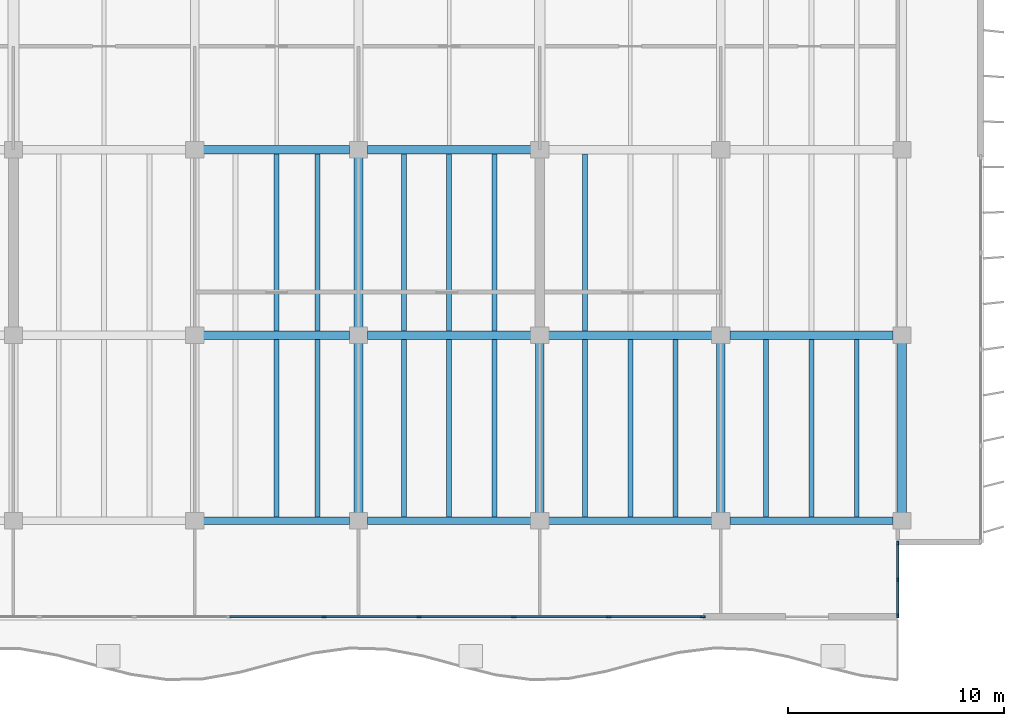
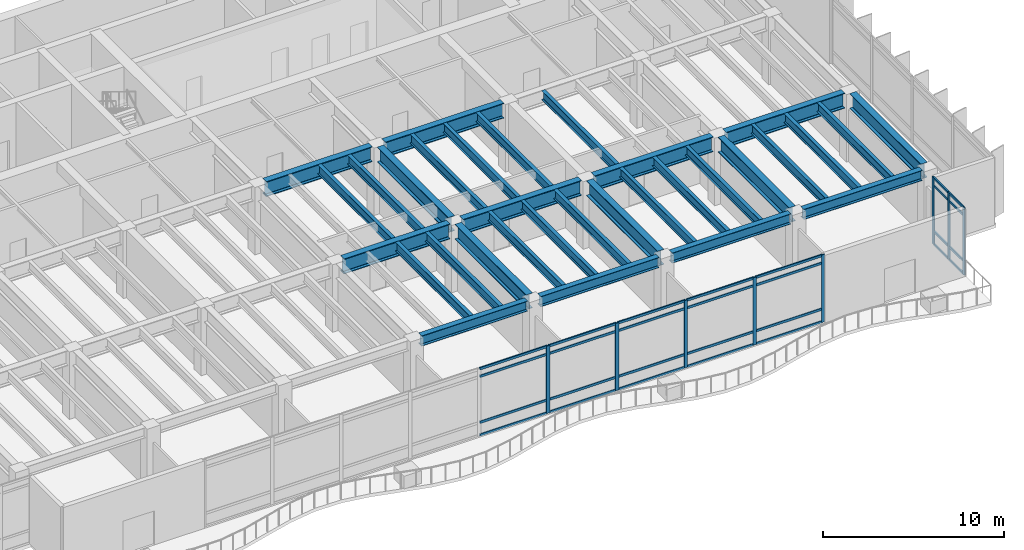
# One storey, part 4 of 15: 36 members, 32 beams, 2 elements without a shape of their own.
"""IFC4 building model written with IfcOpenShell, lengths in metres."""

from ifc_helpers import new_model, si_unit, direction, frame, origin, origin_2d, place, context, subcontext, project, spatial, rectangle, i_section, extrude, material, layer, layer_set, material_profile, profile_set, type_object, element, aggregate, save


model = new_model("IFC4")

# Units and contexts
model_context = context("Model", 3, precision=1e-05, world=origin(), true_north=direction((0.0, 1.0)))
body_context = subcontext(model_context, "Body", "Model", "MODEL_VIEW")
ifc_project = project(units=[si_unit("LENGTHUNIT", "METRE"), si_unit("AREAUNIT", "SQUARE_METRE"), si_unit("VOLUMEUNIT", "CUBIC_METRE"), si_unit("PLANEANGLEUNIT", "RADIAN"), si_unit("MASSUNIT", "GRAM", prefix="KILO")], contexts=[model_context])

# Site, building, storey
site_placement = place(None, origin())
site = spatial("IfcSite", under=ifc_project, at=site_placement, CompositionType="ELEMENT")
building_placement = place(site_placement, origin())
building = spatial("IfcBuilding", under=site, at=building_placement, Name="Caelmar Bay Residences", CompositionType="ELEMENT")
storey_placement = place(building_placement, frame((0.0, 0.0, 183.60009765625)))
storey = spatial("IfcBuildingStorey", under=building, at=storey_placement, Name="L51", CompositionType="ELEMENT", Elevation=183.60009765625)

# Beams
ifc_material_1 = material(Name="Steel ASTM A992 Grade 50", Category="steel")
ifc_material_profile_1 = material_profile(ifc_material_1, i_section(OverallWidth=0.404052734375, OverallDepth=1.02099609375, WebThickness=0.025390625, FlangeThickness=0.0458984375, FilletRadius=0.02294921875, at=origin_2d()), Name="W40X324")
ifc_profile_set_1 = profile_set([ifc_material_profile_1], Name="Steel ASTM A992 Grade 50")
beam_type_1 = type_object("IfcBeamType", Name="BM-GRD-W40X324", PredefinedType="BEAM", material=ifc_profile_set_1)
beam_1_placement = place(storey_placement, frame((35.514892578125, 20.800048828125, 4.039306640625), z_axis=(1.0, 0.0, 0.0), x_axis=(0.0, 1.0, 0.0)))
element("IfcBeam", 1, at=beam_1_placement, inside=storey, type_object=beam_type_1, Name="L51 East-West Girder Y=20.80 (35.1-42.7)", PredefinedType="BEAM", context=body_context, shape_type="SweptSolid", body=[
    extrude(i_section(OverallWidth=0.404052734375, OverallDepth=1.02099609375, WebThickness=0.025390625, FlangeThickness=0.0458984375, FilletRadius=0.02294921875, at=origin_2d()), origin(), (0.0, 0.0, 1.0), 6.77001953125),
])
for number, where, z_axis, x_axis, name in (
    (2, (43.114990234375, 20.800048828125, 4.039306640625), (1.0, 0.0, 0.0), (0.0, 1.0, 0.0), "L51 East-West Girder Y=20.80 (42.7-51.1)"),
    (3, (51.514892578125, 20.800048828125, 4.039306640625), (1.0, 0.0, 0.0), (0.0, 1.0, 0.0), "L51 East-West Girder Y=20.80 (51.1-59.5)"),
    (4, (59.9150390625, 20.800048828125, 4.039306640625), (1.0, 0.0, 0.0), (0.0, 1.0, 0.0), "L51 East-West Girder Y=20.80 (59.5-67.9)"),
):
    element("IfcBeam", number, at=place(storey_placement, frame(where, z_axis=z_axis, x_axis=x_axis)), inside=storey, type_object=beam_type_1, Name=name, PredefinedType="BEAM", context=body_context, shape_type="SweptSolid", body=[
        extrude(i_section(OverallWidth=0.404052734375, OverallDepth=1.02099609375, WebThickness=0.025390625, FlangeThickness=0.0458984375, FilletRadius=0.02294921875, at=origin_2d()), origin(), (0.0, 0.0, 1.0), 7.570068359375),
    ])
beam_2_placement = place(storey_placement, frame((35.514892578125, 29.39990234375, 4.039306640625), z_axis=(1.0, 0.0, 0.0), x_axis=(0.0, 1.0, 0.0)))
element("IfcBeam", 5, at=beam_2_placement, inside=storey, type_object=beam_type_1, Name="L51 East-West Girder Y=29.40 (35.1-42.7)", PredefinedType="BEAM", context=body_context, shape_type="SweptSolid", body=[
    extrude(i_section(OverallWidth=0.404052734375, OverallDepth=1.02099609375, WebThickness=0.025390625, FlangeThickness=0.0458984375, FilletRadius=0.02294921875, at=origin_2d()), origin(), (0.0, 0.0, 1.0), 6.77001953125),
])
beam_3_placement = place(storey_placement, frame((43.114990234375, 29.39990234375, 4.039306640625), z_axis=(1.0, 0.0, 0.0), x_axis=(0.0, 1.0, 0.0)))
element("IfcBeam", 6, at=beam_3_placement, inside=storey, type_object=beam_type_1, Name="L51 East-West Girder Y=29.40 (42.7-51.1)", PredefinedType="BEAM", context=body_context, shape_type="SweptSolid", body=[
    extrude(i_section(OverallWidth=0.404052734375, OverallDepth=1.02099609375, WebThickness=0.025390625, FlangeThickness=0.0458984375, FilletRadius=0.02294921875, at=origin_2d()), origin(), (0.0, 0.0, 1.0), 7.570068359375),
])
beam_4_placement = place(storey_placement, frame((42.699951171875, 12.56494140625, 4.039306640625), z_axis=(0.0, 1.0, 0.0), x_axis=(-1.0, 0.0, 0.0)))
element("IfcBeam", 7, at=beam_4_placement, inside=storey, type_object=beam_type_1, Name="L51 North-South Girder X=42.70 (12.2-20.8)", PredefinedType="BEAM", context=body_context, shape_type="SweptSolid", body=[
    extrude(i_section(OverallWidth=0.404052734375, OverallDepth=1.02099609375, WebThickness=0.025390625, FlangeThickness=0.0458984375, FilletRadius=0.02294921875, at=origin_2d()), origin(), (0.0, 0.0, 1.0), 7.8701171875),
])
beam_5_placement = place(storey_placement, frame((42.699951171875, 21.1650390625, 4.039306640625), z_axis=(0.0, 1.0, 0.0), x_axis=(-1.0, 0.0, 0.0)))
element("IfcBeam", 8, at=beam_5_placement, inside=storey, type_object=beam_type_1, Name="L51 North-South Girder X=42.70 (20.8-29.4)", PredefinedType="BEAM", context=body_context, shape_type="SweptSolid", body=[
    extrude(i_section(OverallWidth=0.404052734375, OverallDepth=1.02099609375, WebThickness=0.025390625, FlangeThickness=0.0458984375, FilletRadius=0.02294921875, at=origin_2d()), origin(), (0.0, 0.0, 1.0), 7.869873046875),
])
for number, where, z_axis, x_axis, name in (
    (9, (51.10009765625, 12.56494140625, 4.039306640625), (0.0, 1.0, 0.0), (-1.0, 0.0, 0.0), "L51 North-South Girder X=51.10 (12.2-20.8)"),
    (10, (59.5, 12.56494140625, 4.039306640625), (0.0, 1.0, 0.0), (-1.0, 0.0, 0.0), "L51 North-South Girder X=59.50 (12.2-20.8)"),
    (11, (67.89990234375, 12.56494140625, 4.039306640625), (0.0, 1.0, 0.0), (-1.0, 0.0, 0.0), "L51 North-South Girder X=67.90 (12.2-20.8)"),
):
    element("IfcBeam", number, at=place(storey_placement, frame(where, z_axis=z_axis, x_axis=x_axis)), inside=storey, type_object=beam_type_1, Name=name, PredefinedType="BEAM", context=body_context, shape_type="SweptSolid", body=[
        extrude(i_section(OverallWidth=0.404052734375, OverallDepth=1.02099609375, WebThickness=0.025390625, FlangeThickness=0.0458984375, FilletRadius=0.02294921875, at=origin_2d()), origin(), (0.0, 0.0, 1.0), 7.8701171875),
    ])
ifc_material_profile_2 = material_profile(ifc_material_1, i_section(OverallWidth=0.22900390625, OverallDepth=0.612060546875, WebThickness=0.011962890625, FlangeThickness=0.01953125, FilletRadius=0.0126953125, at=origin_2d()), Name="W24X84")
ifc_profile_set_2 = profile_set([ifc_material_profile_2], Name="Steel ASTM A992 Grade 50")
beam_type_2 = type_object("IfcBeamType", Name="BM-JST-W24X84", PredefinedType="JOIST", material=ifc_profile_set_2)
for number, where, z_axis, x_axis, name in (
    (12, (38.89990234375, 12.3779296875, 4.243896484375), (0.0, 1.0, 0.0), (-1.0, 0.0, 0.0), "L51 Composite Floor Joist 11"),
    (13, (40.800048828125, 12.3779296875, 4.243896484375), (0.0, 1.0, 0.0), (-1.0, 0.0, 0.0), "L51 Composite Floor Joist 12"),
    (14, (44.800048828125, 12.3779296875, 4.243896484375), (0.0, 1.0, 0.0), (-1.0, 0.0, 0.0), "L51 Composite Floor Joist 13"),
    (15, (46.89990234375, 12.3779296875, 4.243896484375), (0.0, 1.0, 0.0), (-1.0, 0.0, 0.0), "L51 Composite Floor Joist 14"),
    (16, (49.0, 12.3779296875, 4.243896484375), (0.0, 1.0, 0.0), (-1.0, 0.0, 0.0), "L51 Composite Floor Joist 15"),
    (17, (53.199951171875, 12.3779296875, 4.243896484375), (0.0, 1.0, 0.0), (-1.0, 0.0, 0.0), "L51 Composite Floor Joist 16"),
    (18, (55.300048828125, 12.3779296875, 4.243896484375), (0.0, 1.0, 0.0), (-1.0, 0.0, 0.0), "L51 Composite Floor Joist 17"),
    (19, (57.39990234375, 12.3779296875, 4.243896484375), (0.0, 1.0, 0.0), (-1.0, 0.0, 0.0), "L51 Composite Floor Joist 18"),
    (20, (61.60009765625, 12.3779296875, 4.243896484375), (0.0, 1.0, 0.0), (-1.0, 0.0, 0.0), "L51 Composite Floor Joist 19"),
    (21, (63.699951171875, 12.3779296875, 4.243896484375), (0.0, 1.0, 0.0), (-1.0, 0.0, 0.0), "L51 Composite Floor Joist 20"),
    (22, (65.800048828125, 12.3779296875, 4.243896484375), (0.0, 1.0, 0.0), (-1.0, 0.0, 0.0), "L51 Composite Floor Joist 21"),
):
    element("IfcBeam", number, at=place(storey_placement, frame(where, z_axis=z_axis, x_axis=x_axis)), inside=storey, type_object=beam_type_2, Name=name, PredefinedType="JOIST", context=body_context, shape_type="SweptSolid", body=[
        extrude(i_section(OverallWidth=0.22900390625, OverallDepth=0.612060546875, WebThickness=0.011962890625, FlangeThickness=0.01953125, FilletRadius=0.0126953125, at=origin_2d()), origin(), (0.0, 0.0, 1.0), 8.219970703125),
    ])
for number, where, z_axis, x_axis, name in (
    (23, (38.89990234375, 21.001953125, 4.243896484375), (0.0, 1.0, 0.0), (-1.0, 0.0, 0.0), "L51 Composite Floor Joist 32"),
    (24, (40.800048828125, 21.001953125, 4.243896484375), (0.0, 1.0, 0.0), (-1.0, 0.0, 0.0), "L51 Composite Floor Joist 33"),
    (25, (44.800048828125, 21.001953125, 4.243896484375), (0.0, 1.0, 0.0), (-1.0, 0.0, 0.0), "L51 Composite Floor Joist 34"),
    (26, (46.89990234375, 21.001953125, 4.243896484375), (0.0, 1.0, 0.0), (-1.0, 0.0, 0.0), "L51 Composite Floor Joist 35"),
    (27, (49.0, 21.001953125, 4.243896484375), (0.0, 1.0, 0.0), (-1.0, 0.0, 0.0), "L51 Composite Floor Joist 36"),
    (28, (53.199951171875, 21.001953125, 4.243896484375), (0.0, 1.0, 0.0), (-1.0, 0.0, 0.0), "L51 Composite Floor Joist 37"),
):
    element("IfcBeam", number, at=place(storey_placement, frame(where, z_axis=z_axis, x_axis=x_axis)), inside=storey, type_object=beam_type_2, Name=name, PredefinedType="JOIST", context=body_context, shape_type="SweptSolid", body=[
        extrude(i_section(OverallWidth=0.22900390625, OverallDepth=0.612060546875, WebThickness=0.011962890625, FlangeThickness=0.01953125, FilletRadius=0.0126953125, at=origin_2d()), origin(), (0.0, 0.0, 1.0), 8.196044921875),
    ])
ifc_material_profile_3 = material_profile(ifc_material_1, i_section(OverallWidth=0.35595703125, OverallDepth=0.696044921875, WebThickness=0.015380859375, FlangeThickness=0.02490234375, FilletRadius=0.01513671875, at=origin_2d()), Name="W27X146")
ifc_profile_set_3 = profile_set([ifc_material_profile_3], Name="Steel ASTM A992 Grade 50")
beam_type_3 = type_object("IfcBeamType", Name="BM-SPN-W27X146", PredefinedType="SPANDREL", material=ifc_profile_set_3)
beam_6_placement = place(storey_placement, frame((35.514892578125, 12.199951171875, 4.201904296875), z_axis=(1.0, 0.0, 0.0), x_axis=(0.0, 1.0, 0.0)))
element("IfcBeam", 29, at=beam_6_placement, inside=storey, type_object=beam_type_3, Name="L51 East-West Girder Y=12.20 (35.1-42.7)", PredefinedType="SPANDREL", context=body_context, shape_type="SweptSolid", body=[
    extrude(i_section(OverallWidth=0.35595703125, OverallDepth=0.696044921875, WebThickness=0.015380859375, FlangeThickness=0.02490234375, FilletRadius=0.01513671875, at=origin_2d()), origin(), (0.0, 0.0, 1.0), 6.77001953125),
])
for number, where, z_axis, x_axis, name in (
    (30, (43.114990234375, 12.199951171875, 4.201904296875), (1.0, 0.0, 0.0), (0.0, 1.0, 0.0), "L51 East-West Girder Y=12.20 (42.7-51.1)"),
    (31, (51.514892578125, 12.199951171875, 4.201904296875), (1.0, 0.0, 0.0), (0.0, 1.0, 0.0), "L51 East-West Girder Y=12.20 (51.1-59.5)"),
    (32, (59.9150390625, 12.199951171875, 4.201904296875), (1.0, 0.0, 0.0), (0.0, 1.0, 0.0), "L51 East-West Girder Y=12.20 (59.5-67.9)"),
):
    element("IfcBeam", number, at=place(storey_placement, frame(where, z_axis=z_axis, x_axis=x_axis)), inside=storey, type_object=beam_type_3, Name=name, PredefinedType="SPANDREL", context=body_context, shape_type="SweptSolid", body=[
        extrude(i_section(OverallWidth=0.35595703125, OverallDepth=0.696044921875, WebThickness=0.015380859375, FlangeThickness=0.02490234375, FilletRadius=0.01513671875, at=origin_2d()), origin(), (0.0, 0.0, 1.0), 7.570068359375),
    ])

# Curtain wall, members
ifc_material_2 = material(Name="Anodised bronze aluminium 6063-T6 and laminated glass", Category="aluminium")
ifc_layer_1 = layer(ifc_material_2, 0.179931640625)
ifc_layer_set_1 = layer_set([ifc_layer_1], Name="Anodised bronze aluminium 6063-T6 and laminated glass")
curtain_wall_type_1 = type_object("IfcCurtainWallType", Name="CW6-NTC", PredefinedType="NOTDEFINED", material=ifc_layer_set_1)
curtain_wall_1_placement = place(storey_placement, origin())
curtain_wall_1 = element("IfcCurtainWall", 33, at=curtain_wall_1_placement, inside=storey, type_object=curtain_wall_type_1, Name="CW6 curtain wall L51", PredefinedType="NOTDEFINED")
ifc_material_3 = material(Name="Anodised bronze aluminium 6063-T6", Category="aluminium")
ifc_material_profile_4 = material_profile(ifc_material_3, rectangle(XDim=0.080078125, YDim=0.179931640625, at=origin_2d()), Name="CWM-80X180")
ifc_profile_set_4 = profile_set([ifc_material_profile_4], Name="Anodised bronze aluminium 6063-T6")
member_type_1 = type_object("IfcMemberType", Name="CWM-180", PredefinedType="MULLION", material=ifc_profile_set_4)
member_1_placement = place(storey_placement, frame((67.699951171875, 7.7900390625, 0.0), z_axis=(0.0, 0.0, 1.0), x_axis=(-1.0, 0.0, 0.0)))
member_1 = element("IfcMember", 34, at=member_1_placement, type_object=member_type_1, Name="CW6 mullion 1", PredefinedType="MULLION", context=body_context, shape_type="SweptSolid", body=[
    extrude(rectangle(XDim=0.080078125, YDim=0.179931640625, at=origin_2d()), origin(), (0.0, 0.0, 1.0), 4.5498046875),
])
member_2_placement = place(storey_placement, frame((67.699951171875, 9.47509765625, 0.0), z_axis=(0.0, 0.0, 1.0), x_axis=(-1.0, 0.0, 0.0)))
member_2 = element("IfcMember", 35, at=member_2_placement, type_object=member_type_1, Name="CW6 mullion 2", PredefinedType="MULLION", context=body_context, shape_type="SweptSolid", body=[
    extrude(rectangle(XDim=0.080078125, YDim=0.179931640625, at=origin_2d()), origin(), (0.0, 0.0, 1.0), 4.5498046875),
])
member_3_placement = place(storey_placement, frame((67.699951171875, 11.159912109375, 0.0), z_axis=(0.0, 0.0, 1.0), x_axis=(-1.0, 0.0, 0.0)))
member_3 = element("IfcMember", 36, at=member_3_placement, type_object=member_type_1, Name="CW6 mullion 3", PredefinedType="MULLION", context=body_context, shape_type="SweptSolid", body=[
    extrude(rectangle(XDim=0.080078125, YDim=0.179931640625, at=origin_2d()), origin(), (0.0, 0.0, 1.0), 4.5498046875),
])

ifc_layer_2 = layer(ifc_material_2, 0.179931640625)
ifc_layer_set_2 = layer_set([ifc_layer_2], Name="Anodised bronze aluminium 6063-T6 and laminated glass")
curtain_wall_type_2 = type_object("IfcCurtainWallType", Name="CW7-CRN", PredefinedType="NOTDEFINED", material=ifc_layer_set_2)
curtain_wall_2_placement = place(storey_placement, origin())
curtain_wall_2 = element("IfcCurtainWall", 37, at=curtain_wall_2_placement, inside=storey, type_object=curtain_wall_type_2, Name="CW7 curtain wall L51", PredefinedType="NOTDEFINED")
ifc_material_profile_5 = material_profile(ifc_material_3, rectangle(XDim=0.080078125, YDim=0.219970703125, at=origin_2d()), Name="CWM-80X220")
ifc_profile_set_5 = profile_set([ifc_material_profile_5], Name="Anodised bronze aluminium 6063-T6")
member_type_2 = type_object("IfcMemberType", Name="CWM-220", PredefinedType="MULLION", material=ifc_profile_set_5)
member_4_placement = place(storey_placement, frame((58.659912109375, 7.75, 0.0), z_axis=(0.0, 0.0, 1.0), x_axis=(0.0, -1.0, 0.0)))
member_4 = element("IfcMember", 38, at=member_4_placement, type_object=member_type_2, Name="CW7 mullion 1", PredefinedType="MULLION", context=body_context, shape_type="SweptSolid", body=[
    extrude(rectangle(XDim=0.080078125, YDim=0.219970703125, at=origin_2d()), origin(), (0.0, 0.0, 1.0), 4.5498046875),
])
member_5_placement = place(storey_placement, frame((54.300048828125, 7.75, 0.0), z_axis=(0.0, 0.0, 1.0), x_axis=(0.0, -1.0, 0.0)))
member_5 = element("IfcMember", 39, at=member_5_placement, type_object=member_type_2, Name="CW7 mullion 2", PredefinedType="MULLION", context=body_context, shape_type="SweptSolid", body=[
    extrude(rectangle(XDim=0.080078125, YDim=0.219970703125, at=origin_2d()), origin(), (0.0, 0.0, 1.0), 4.5498046875),
])
member_6_placement = place(storey_placement, frame((49.89990234375, 7.75, 0.0), z_axis=(0.0, 0.0, 1.0), x_axis=(0.0, -1.0, 0.0)))
member_6 = element("IfcMember", 40, at=member_6_placement, type_object=member_type_2, Name="CW7 mullion 3", PredefinedType="MULLION", context=body_context, shape_type="SweptSolid", body=[
    extrude(rectangle(XDim=0.080078125, YDim=0.219970703125, at=origin_2d()), origin(), (0.0, 0.0, 1.0), 4.5498046875),
])
member_7_placement = place(storey_placement, frame((45.5, 7.75, 0.0), z_axis=(0.0, 0.0, 1.0), x_axis=(0.0, -1.0, 0.0)))
member_7 = element("IfcMember", 41, at=member_7_placement, type_object=member_type_2, Name="CW7 mullion 4", PredefinedType="MULLION", context=body_context, shape_type="SweptSolid", body=[
    extrude(rectangle(XDim=0.080078125, YDim=0.219970703125, at=origin_2d()), origin(), (0.0, 0.0, 1.0), 4.5498046875),
])
member_8_placement = place(storey_placement, frame((41.10009765625, 7.75, 0.0), z_axis=(0.0, 0.0, 1.0), x_axis=(0.0, -1.0, 0.0)))
member_8 = element("IfcMember", 42, at=member_8_placement, type_object=member_type_2, Name="CW7 mullion 5", PredefinedType="MULLION", context=body_context, shape_type="SweptSolid", body=[
    extrude(rectangle(XDim=0.080078125, YDim=0.219970703125, at=origin_2d()), origin(), (0.0, 0.0, 1.0), 4.5498046875),
])

# Member
ifc_material_profile_6 = material_profile(ifc_material_3, rectangle(XDim=0.080078125, YDim=0.139892578125, at=origin_2d()), Name="CWT-80X140")
ifc_profile_set_6 = profile_set([ifc_material_profile_6], Name="Anodised bronze aluminium 6063-T6")
member_type_3 = type_object("IfcMemberType", Name="CWT-140", PredefinedType="NOTDEFINED", material=ifc_profile_set_6)
member_9_placement = place(storey_placement, frame((67.699951171875, 7.830078125, 0.039794921875), z_axis=(0.0, 1.0, 0.0), x_axis=(-1.0, 0.0, 0.0)))
member_9 = element("IfcMember", 43, at=member_9_placement, type_object=member_type_3, Name="CW6 transom 1.1", ObjectType="TRANSOM", PredefinedType="USERDEFINED", context=body_context, shape_type="SweptSolid", body=[
    extrude(rectangle(XDim=0.080078125, YDim=0.139892578125, at=origin_2d()), origin(), (0.0, 0.0, 1.0), 1.60498046875),
])

member_10_placement = place(storey_placement, frame((67.699951171875, 7.830078125, 0.89990234375), z_axis=(0.0, 1.0, 0.0), x_axis=(-1.0, 0.0, 0.0)))
member_10 = element("IfcMember", 44, at=member_10_placement, type_object=member_type_3, Name="CW6 transom 1.2", ObjectType="TRANSOM", PredefinedType="USERDEFINED", context=body_context, shape_type="SweptSolid", body=[
    extrude(rectangle(XDim=0.080078125, YDim=0.139892578125, at=origin_2d()), origin(), (0.0, 0.0, 1.0), 1.60498046875),
])

member_11_placement = place(storey_placement, frame((67.699951171875, 7.830078125, 4.0), z_axis=(0.0, 1.0, 0.0), x_axis=(-1.0, 0.0, 0.0)))
member_11 = element("IfcMember", 45, at=member_11_placement, type_object=member_type_3, Name="CW6 transom 1.3", ObjectType="TRANSOM", PredefinedType="USERDEFINED", context=body_context, shape_type="SweptSolid", body=[
    extrude(rectangle(XDim=0.080078125, YDim=0.139892578125, at=origin_2d()), origin(), (0.0, 0.0, 1.0), 1.60498046875),
])

member_12_placement = place(storey_placement, frame((67.699951171875, 7.830078125, 4.510009765625), z_axis=(0.0, 1.0, 0.0), x_axis=(-1.0, 0.0, 0.0)))
member_12 = element("IfcMember", 46, at=member_12_placement, type_object=member_type_3, Name="CW6 transom 1.4", ObjectType="TRANSOM", PredefinedType="USERDEFINED", context=body_context, shape_type="SweptSolid", body=[
    extrude(rectangle(XDim=0.080078125, YDim=0.139892578125, at=origin_2d()), origin(), (0.0, 0.0, 1.0), 1.60498046875),
])

member_13_placement = place(storey_placement, frame((67.699951171875, 9.514892578125, 0.039794921875), z_axis=(0.0, 1.0, 0.0), x_axis=(-1.0, 0.0, 0.0)))
member_13 = element("IfcMember", 47, at=member_13_placement, type_object=member_type_3, Name="CW6 transom 2.1", ObjectType="TRANSOM", PredefinedType="USERDEFINED", context=body_context, shape_type="SweptSolid", body=[
    extrude(rectangle(XDim=0.080078125, YDim=0.139892578125, at=origin_2d()), origin(), (0.0, 0.0, 1.0), 1.605224609375),
])

member_14_placement = place(storey_placement, frame((67.699951171875, 9.514892578125, 0.89990234375), z_axis=(0.0, 1.0, 0.0), x_axis=(-1.0, 0.0, 0.0)))
member_14 = element("IfcMember", 48, at=member_14_placement, type_object=member_type_3, Name="CW6 transom 2.2", ObjectType="TRANSOM", PredefinedType="USERDEFINED", context=body_context, shape_type="SweptSolid", body=[
    extrude(rectangle(XDim=0.080078125, YDim=0.139892578125, at=origin_2d()), origin(), (0.0, 0.0, 1.0), 1.605224609375),
])

member_15_placement = place(storey_placement, frame((67.699951171875, 9.514892578125, 4.0), z_axis=(0.0, 1.0, 0.0), x_axis=(-1.0, 0.0, 0.0)))
member_15 = element("IfcMember", 49, at=member_15_placement, type_object=member_type_3, Name="CW6 transom 2.3", ObjectType="TRANSOM", PredefinedType="USERDEFINED", context=body_context, shape_type="SweptSolid", body=[
    extrude(rectangle(XDim=0.080078125, YDim=0.139892578125, at=origin_2d()), origin(), (0.0, 0.0, 1.0), 1.605224609375),
])

member_16_placement = place(storey_placement, frame((67.699951171875, 9.514892578125, 4.510009765625), z_axis=(0.0, 1.0, 0.0), x_axis=(-1.0, 0.0, 0.0)))
member_16 = element("IfcMember", 50, at=member_16_placement, type_object=member_type_3, Name="CW6 transom 2.4", ObjectType="TRANSOM", PredefinedType="USERDEFINED", context=body_context, shape_type="SweptSolid", body=[
    extrude(rectangle(XDim=0.080078125, YDim=0.139892578125, at=origin_2d()), origin(), (0.0, 0.0, 1.0), 1.605224609375),
])

aggregate(curtain_wall_1, [member_1, member_2, member_3, member_9, member_10, member_11, member_12, member_13, member_14, member_15, member_16])

ifc_material_profile_7 = material_profile(ifc_material_3, rectangle(XDim=0.080078125, YDim=0.159912109375, at=origin_2d()), Name="CWT-80X160")
ifc_profile_set_7 = profile_set([ifc_material_profile_7], Name="Anodised bronze aluminium 6063-T6")
member_type_4 = type_object("IfcMemberType", Name="CWT-160", PredefinedType="NOTDEFINED", material=ifc_profile_set_7)
member_17_placement = place(storey_placement, frame((58.6201171875, 7.75, 0.039794921875), z_axis=(-1.0, 0.0, 0.0), x_axis=(0.0, -1.0, 0.0)))
member_17 = element("IfcMember", 51, at=member_17_placement, type_object=member_type_4, Name="CW7 transom 1.1", ObjectType="TRANSOM", PredefinedType="USERDEFINED", context=body_context, shape_type="SweptSolid", body=[
    extrude(rectangle(XDim=0.080078125, YDim=0.159912109375, at=origin_2d()), origin(), (0.0, 0.0, 1.0), 4.280029296875),
])

member_18_placement = place(storey_placement, frame((58.6201171875, 7.75, 0.89990234375), z_axis=(-1.0, 0.0, 0.0), x_axis=(0.0, -1.0, 0.0)))
member_18 = element("IfcMember", 52, at=member_18_placement, type_object=member_type_4, Name="CW7 transom 1.2", ObjectType="TRANSOM", PredefinedType="USERDEFINED", context=body_context, shape_type="SweptSolid", body=[
    extrude(rectangle(XDim=0.080078125, YDim=0.159912109375, at=origin_2d()), origin(), (0.0, 0.0, 1.0), 4.280029296875),
])

member_19_placement = place(storey_placement, frame((58.6201171875, 7.75, 4.0), z_axis=(-1.0, 0.0, 0.0), x_axis=(0.0, -1.0, 0.0)))
member_19 = element("IfcMember", 53, at=member_19_placement, type_object=member_type_4, Name="CW7 transom 1.3", ObjectType="TRANSOM", PredefinedType="USERDEFINED", context=body_context, shape_type="SweptSolid", body=[
    extrude(rectangle(XDim=0.080078125, YDim=0.159912109375, at=origin_2d()), origin(), (0.0, 0.0, 1.0), 4.280029296875),
])

member_20_placement = place(storey_placement, frame((58.6201171875, 7.75, 4.510009765625), z_axis=(-1.0, 0.0, 0.0), x_axis=(0.0, -1.0, 0.0)))
member_20 = element("IfcMember", 54, at=member_20_placement, type_object=member_type_4, Name="CW7 transom 1.4", ObjectType="TRANSOM", PredefinedType="USERDEFINED", context=body_context, shape_type="SweptSolid", body=[
    extrude(rectangle(XDim=0.080078125, YDim=0.159912109375, at=origin_2d()), origin(), (0.0, 0.0, 1.0), 4.280029296875),
])

member_21_placement = place(storey_placement, frame((54.260009765625, 7.75, 0.039794921875), z_axis=(-1.0, 0.0, 0.0), x_axis=(0.0, -1.0, 0.0)))
member_21 = element("IfcMember", 55, at=member_21_placement, type_object=member_type_4, Name="CW7 transom 2.1", ObjectType="TRANSOM", PredefinedType="USERDEFINED", context=body_context, shape_type="SweptSolid", body=[
    extrude(rectangle(XDim=0.080078125, YDim=0.159912109375, at=origin_2d()), origin(), (0.0, 0.0, 1.0), 4.320068359375),
])

member_22_placement = place(storey_placement, frame((54.260009765625, 7.75, 0.89990234375), z_axis=(-1.0, 0.0, 0.0), x_axis=(0.0, -1.0, 0.0)))
member_22 = element("IfcMember", 56, at=member_22_placement, type_object=member_type_4, Name="CW7 transom 2.2", ObjectType="TRANSOM", PredefinedType="USERDEFINED", context=body_context, shape_type="SweptSolid", body=[
    extrude(rectangle(XDim=0.080078125, YDim=0.159912109375, at=origin_2d()), origin(), (0.0, 0.0, 1.0), 4.320068359375),
])

member_23_placement = place(storey_placement, frame((54.260009765625, 7.75, 4.0), z_axis=(-1.0, 0.0, 0.0), x_axis=(0.0, -1.0, 0.0)))
member_23 = element("IfcMember", 57, at=member_23_placement, type_object=member_type_4, Name="CW7 transom 2.3", ObjectType="TRANSOM", PredefinedType="USERDEFINED", context=body_context, shape_type="SweptSolid", body=[
    extrude(rectangle(XDim=0.080078125, YDim=0.159912109375, at=origin_2d()), origin(), (0.0, 0.0, 1.0), 4.320068359375),
])

member_24_placement = place(storey_placement, frame((54.260009765625, 7.75, 4.510009765625), z_axis=(-1.0, 0.0, 0.0), x_axis=(0.0, -1.0, 0.0)))
member_24 = element("IfcMember", 58, at=member_24_placement, type_object=member_type_4, Name="CW7 transom 2.4", ObjectType="TRANSOM", PredefinedType="USERDEFINED", context=body_context, shape_type="SweptSolid", body=[
    extrude(rectangle(XDim=0.080078125, YDim=0.159912109375, at=origin_2d()), origin(), (0.0, 0.0, 1.0), 4.320068359375),
])

member_25_placement = place(storey_placement, frame((49.860107421875, 7.75, 0.039794921875), z_axis=(-1.0, 0.0, 0.0), x_axis=(0.0, -1.0, 0.0)))
member_25 = element("IfcMember", 59, at=member_25_placement, type_object=member_type_4, Name="CW7 transom 3.1", ObjectType="TRANSOM", PredefinedType="USERDEFINED", context=body_context, shape_type="SweptSolid", body=[
    extrude(rectangle(XDim=0.080078125, YDim=0.159912109375, at=origin_2d()), origin(), (0.0, 0.0, 1.0), 4.320068359375),
])

member_26_placement = place(storey_placement, frame((49.860107421875, 7.75, 0.89990234375), z_axis=(-1.0, 0.0, 0.0), x_axis=(0.0, -1.0, 0.0)))
member_26 = element("IfcMember", 60, at=member_26_placement, type_object=member_type_4, Name="CW7 transom 3.2", ObjectType="TRANSOM", PredefinedType="USERDEFINED", context=body_context, shape_type="SweptSolid", body=[
    extrude(rectangle(XDim=0.080078125, YDim=0.159912109375, at=origin_2d()), origin(), (0.0, 0.0, 1.0), 4.320068359375),
])

member_27_placement = place(storey_placement, frame((49.860107421875, 7.75, 4.0), z_axis=(-1.0, 0.0, 0.0), x_axis=(0.0, -1.0, 0.0)))
member_27 = element("IfcMember", 61, at=member_27_placement, type_object=member_type_4, Name="CW7 transom 3.3", ObjectType="TRANSOM", PredefinedType="USERDEFINED", context=body_context, shape_type="SweptSolid", body=[
    extrude(rectangle(XDim=0.080078125, YDim=0.159912109375, at=origin_2d()), origin(), (0.0, 0.0, 1.0), 4.320068359375),
])

member_28_placement = place(storey_placement, frame((49.860107421875, 7.75, 4.510009765625), z_axis=(-1.0, 0.0, 0.0), x_axis=(0.0, -1.0, 0.0)))
member_28 = element("IfcMember", 62, at=member_28_placement, type_object=member_type_4, Name="CW7 transom 3.4", ObjectType="TRANSOM", PredefinedType="USERDEFINED", context=body_context, shape_type="SweptSolid", body=[
    extrude(rectangle(XDim=0.080078125, YDim=0.159912109375, at=origin_2d()), origin(), (0.0, 0.0, 1.0), 4.320068359375),
])

member_29_placement = place(storey_placement, frame((45.4599609375, 7.75, 0.039794921875), z_axis=(-1.0, 0.0, 0.0), x_axis=(0.0, -1.0, 0.0)))
member_29 = element("IfcMember", 63, at=member_29_placement, type_object=member_type_4, Name="CW7 transom 4.1", ObjectType="TRANSOM", PredefinedType="USERDEFINED", context=body_context, shape_type="SweptSolid", body=[
    extrude(rectangle(XDim=0.080078125, YDim=0.159912109375, at=origin_2d()), origin(), (0.0, 0.0, 1.0), 4.320068359375),
])

member_30_placement = place(storey_placement, frame((45.4599609375, 7.75, 0.89990234375), z_axis=(-1.0, 0.0, 0.0), x_axis=(0.0, -1.0, 0.0)))
member_30 = element("IfcMember", 64, at=member_30_placement, type_object=member_type_4, Name="CW7 transom 4.2", ObjectType="TRANSOM", PredefinedType="USERDEFINED", context=body_context, shape_type="SweptSolid", body=[
    extrude(rectangle(XDim=0.080078125, YDim=0.159912109375, at=origin_2d()), origin(), (0.0, 0.0, 1.0), 4.320068359375),
])

member_31_placement = place(storey_placement, frame((45.4599609375, 7.75, 4.0), z_axis=(-1.0, 0.0, 0.0), x_axis=(0.0, -1.0, 0.0)))
member_31 = element("IfcMember", 65, at=member_31_placement, type_object=member_type_4, Name="CW7 transom 4.3", ObjectType="TRANSOM", PredefinedType="USERDEFINED", context=body_context, shape_type="SweptSolid", body=[
    extrude(rectangle(XDim=0.080078125, YDim=0.159912109375, at=origin_2d()), origin(), (0.0, 0.0, 1.0), 4.320068359375),
])

member_32_placement = place(storey_placement, frame((45.4599609375, 7.75, 4.510009765625), z_axis=(-1.0, 0.0, 0.0), x_axis=(0.0, -1.0, 0.0)))
member_32 = element("IfcMember", 66, at=member_32_placement, type_object=member_type_4, Name="CW7 transom 4.4", ObjectType="TRANSOM", PredefinedType="USERDEFINED", context=body_context, shape_type="SweptSolid", body=[
    extrude(rectangle(XDim=0.080078125, YDim=0.159912109375, at=origin_2d()), origin(), (0.0, 0.0, 1.0), 4.320068359375),
])

member_33_placement = place(storey_placement, frame((41.06005859375, 7.75, 0.039794921875), z_axis=(-1.0, 0.0, 0.0), x_axis=(0.0, -1.0, 0.0)))
member_33 = element("IfcMember", 67, at=member_33_placement, type_object=member_type_4, Name="CW7 transom 5.1", ObjectType="TRANSOM", PredefinedType="USERDEFINED", context=body_context, shape_type="SweptSolid", body=[
    extrude(rectangle(XDim=0.080078125, YDim=0.159912109375, at=origin_2d()), origin(), (0.0, 0.0, 1.0), 4.320068359375),
])

member_34_placement = place(storey_placement, frame((41.06005859375, 7.75, 0.89990234375), z_axis=(-1.0, 0.0, 0.0), x_axis=(0.0, -1.0, 0.0)))
member_34 = element("IfcMember", 68, at=member_34_placement, type_object=member_type_4, Name="CW7 transom 5.2", ObjectType="TRANSOM", PredefinedType="USERDEFINED", context=body_context, shape_type="SweptSolid", body=[
    extrude(rectangle(XDim=0.080078125, YDim=0.159912109375, at=origin_2d()), origin(), (0.0, 0.0, 1.0), 4.320068359375),
])

member_35_placement = place(storey_placement, frame((41.06005859375, 7.75, 4.0), z_axis=(-1.0, 0.0, 0.0), x_axis=(0.0, -1.0, 0.0)))
member_35 = element("IfcMember", 69, at=member_35_placement, type_object=member_type_4, Name="CW7 transom 5.3", ObjectType="TRANSOM", PredefinedType="USERDEFINED", context=body_context, shape_type="SweptSolid", body=[
    extrude(rectangle(XDim=0.080078125, YDim=0.159912109375, at=origin_2d()), origin(), (0.0, 0.0, 1.0), 4.320068359375),
])

member_36_placement = place(storey_placement, frame((41.06005859375, 7.75, 4.510009765625), z_axis=(-1.0, 0.0, 0.0), x_axis=(0.0, -1.0, 0.0)))
member_36 = element("IfcMember", 70, at=member_36_placement, type_object=member_type_4, Name="CW7 transom 5.4", ObjectType="TRANSOM", PredefinedType="USERDEFINED", context=body_context, shape_type="SweptSolid", body=[
    extrude(rectangle(XDim=0.080078125, YDim=0.159912109375, at=origin_2d()), origin(), (0.0, 0.0, 1.0), 4.320068359375),
])

aggregate(curtain_wall_2, [member_4, member_5, member_6, member_7, member_8, member_17, member_18, member_19, member_20, member_21, member_22, member_23, member_24, member_25, member_26, member_27, member_28, member_29, member_30, member_31, member_32, member_33, member_34, member_35, member_36])

save(model, "model.ifc")
